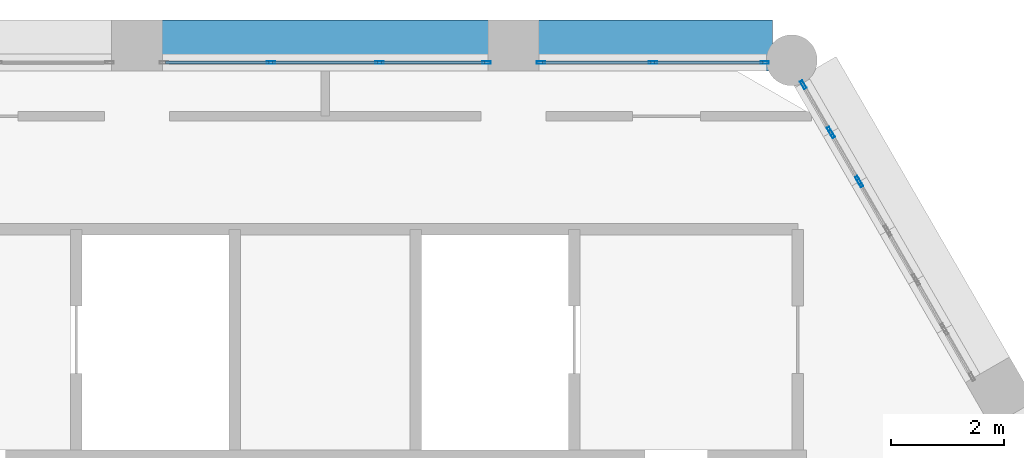
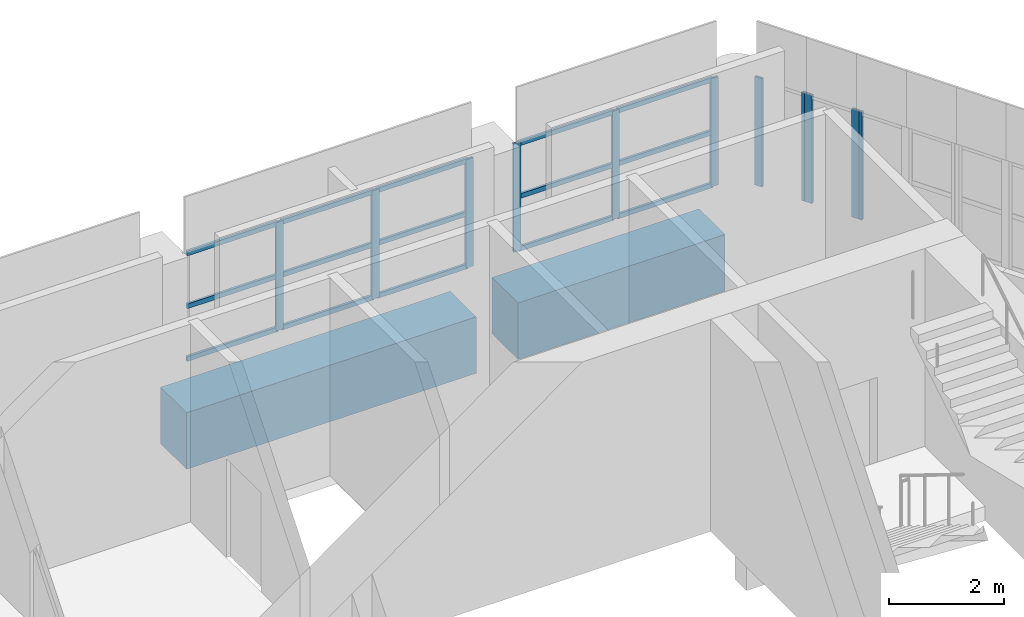
# One storey, part 9 of 23: 26 members, 2 beams, 5 elements without a shape of their own.
"""IFC4 building model written with IfcOpenShell, lengths in metres."""

from ifc_helpers import new_model, si_unit, direction, frame, origin, origin_2d, place, context, subcontext, project, spatial, rectangle, hollow_rectangle, extrude, material, material_profile, profile_set, type_object, element, aggregate, save


model = new_model("IFC4")

# Units and contexts
model_context = context("Model", 3, precision=1e-05, world=origin(), true_north=direction((0.0, 1.0)))
body_context = subcontext(model_context, "Body", "Model", "MODEL_VIEW")
ifc_project = project(units=[si_unit("LENGTHUNIT", "METRE"), si_unit("AREAUNIT", "SQUARE_METRE"), si_unit("VOLUMEUNIT", "CUBIC_METRE"), si_unit("PLANEANGLEUNIT", "RADIAN"), si_unit("MASSUNIT", "GRAM", prefix="KILO")], contexts=[model_context])

# Site, building, storey
site_placement = place(None, origin())
site = spatial("IfcSite", under=ifc_project, at=site_placement, CompositionType="ELEMENT")
building_placement = place(site_placement, origin())
building = spatial("IfcBuilding", under=site, at=building_placement, Name="Ostrander Bayou Hotel Tower", CompositionType="ELEMENT")
storey_placement = place(building_placement, frame((0.0, 0.0, 279.5)))
storey = spatial("IfcBuildingStorey", under=building, at=storey_placement, Name="L69", CompositionType="ELEMENT", Elevation=279.5)

# Curtain wall, members
ifc_material_1 = material(Name="Aluminium and clear glass", Category="aluminium")
curtain_wall_type = type_object("IfcCurtainWallType", Name="CW-CROWN glazed wall", PredefinedType="NOTDEFINED", material=ifc_material_1)
curtain_wall_1_placement = place(storey_placement, origin())
curtain_wall_1 = element("IfcCurtainWall", 1, at=curtain_wall_1_placement, inside=storey, type_object=curtain_wall_type, Name="CW-CROWN L69:N-1", PredefinedType="NOTDEFINED")
ifc_material_2 = material(Name="Aluminium", Category="aluminium")
ifc_material_profile_1 = material_profile(ifc_material_2, hollow_rectangle(XDim=0.050048828125, YDim=0.14990234375, WallThickness=0.00390625, at=origin_2d()))
ifc_profile_set_1 = profile_set([ifc_material_profile_1], Name="Aluminium")
member_type_1 = type_object("IfcMemberType", Name="CW-CR mullion 50 x 150 mm", PredefinedType="MULLION", material=ifc_profile_set_1)
member_1_placement = place(storey_placement, frame((7.765869140625, 16.550048828125, 1.0), z_axis=(0.0, 0.0, 1.0), x_axis=(0.0, -1.0, 0.0)))
member_1 = element("IfcMember", 2, at=member_1_placement, type_object=member_type_1, Name="CW-CROWN mullion 1", PredefinedType="MULLION", context=body_context, shape_type="SweptSolid", body=[
    extrude(hollow_rectangle(XDim=0.050048828125, YDim=0.14990234375, WallThickness=0.00390625, at=origin_2d()), origin(), (0.0, 0.0, 1.0), 2.300048828125),
])
member_2_placement = place(storey_placement, frame((5.78759765625, 16.550048828125, 1.0), z_axis=(0.0, 0.0, 1.0), x_axis=(0.0, -1.0, 0.0)))
member_2 = element("IfcMember", 3, at=member_2_placement, type_object=member_type_1, Name="CW-CROWN mullion 2", PredefinedType="MULLION", context=body_context, shape_type="SweptSolid", body=[
    extrude(hollow_rectangle(XDim=0.050048828125, YDim=0.14990234375, WallThickness=0.00390625, at=origin_2d()), origin(), (0.0, 0.0, 1.0), 2.300048828125),
])
member_3_placement = place(storey_placement, frame((3.809326171875, 16.550048828125, 1.0), z_axis=(0.0, 0.0, 1.0), x_axis=(0.0, -1.0, 0.0)))
member_3 = element("IfcMember", 4, at=member_3_placement, type_object=member_type_1, Name="CW-CROWN mullion 3", PredefinedType="MULLION", context=body_context, shape_type="SweptSolid", body=[
    extrude(hollow_rectangle(XDim=0.050048828125, YDim=0.14990234375, WallThickness=0.00390625, at=origin_2d()), origin(), (0.0, 0.0, 1.0), 2.300048828125),
])

curtain_wall_2_placement = place(storey_placement, origin())
curtain_wall_2 = element("IfcCurtainWall", 5, at=curtain_wall_2_placement, inside=storey, type_object=curtain_wall_type, Name="CW-CROWN L69:N-2", PredefinedType="NOTDEFINED")
member_4_placement = place(storey_placement, frame((2.849365234375, 16.550048828125, 1.0), z_axis=(0.0, 0.0, 1.0), x_axis=(0.0, -1.0, 0.0)))
member_4 = element("IfcMember", 6, at=member_4_placement, type_object=member_type_1, Name="CW-CROWN mullion 1", PredefinedType="MULLION", context=body_context, shape_type="SweptSolid", body=[
    extrude(hollow_rectangle(XDim=0.050048828125, YDim=0.14990234375, WallThickness=0.00390625, at=origin_2d()), origin(), (0.0, 0.0, 1.0), 2.300048828125),
])
member_5_placement = place(storey_placement, frame((0.959716796875, 16.550048828125, 1.0), z_axis=(0.0, 0.0, 1.0), x_axis=(0.0, -1.0, 0.0)))
member_5 = element("IfcMember", 7, at=member_5_placement, type_object=member_type_1, Name="CW-CROWN mullion 2", PredefinedType="MULLION", context=body_context, shape_type="SweptSolid", body=[
    extrude(hollow_rectangle(XDim=0.050048828125, YDim=0.14990234375, WallThickness=0.00390625, at=origin_2d()), origin(), (0.0, 0.0, 1.0), 2.300048828125),
])
member_6_placement = place(storey_placement, frame((-0.959716796875, 16.550048828125, 1.0), z_axis=(0.0, 0.0, 1.0), x_axis=(0.0, -1.0, 0.0)))
member_6 = element("IfcMember", 8, at=member_6_placement, type_object=member_type_1, Name="CW-CROWN mullion 3", PredefinedType="MULLION", context=body_context, shape_type="SweptSolid", body=[
    extrude(hollow_rectangle(XDim=0.050048828125, YDim=0.14990234375, WallThickness=0.00390625, at=origin_2d()), origin(), (0.0, 0.0, 1.0), 2.300048828125),
])

# Curtain wall, member
curtain_wall_3_placement = place(storey_placement, origin())
curtain_wall_3 = element("IfcCurtainWall", 9, at=curtain_wall_3_placement, inside=storey, type_object=curtain_wall_type, Name="CW-CROWN L69:NE-3-4", PredefinedType="NOTDEFINED")
member_7_placement = place(storey_placement, frame((9.4501953125, 14.4189453125, 1.0), z_axis=(0.0, 0.0, 1.0), x_axis=(-0.866026229865, -0.499998569184, 0.0)))
member_7 = element("IfcMember", 10, at=member_7_placement, type_object=member_type_1, Name="CW-CROWN mullion 2", PredefinedType="MULLION", context=body_context, shape_type="SweptSolid", body=[
    extrude(hollow_rectangle(XDim=0.050048828125, YDim=0.14990234375, WallThickness=0.00390625, at=origin_2d()), origin(), (0.0, 0.0, 1.0), 2.300048828125),
])
aggregate(curtain_wall_3, [member_7])

# Curtain wall, members
curtain_wall_4_placement = place(storey_placement, origin())
curtain_wall_4 = element("IfcCurtainWall", 11, at=curtain_wall_4_placement, inside=storey, type_object=curtain_wall_type, Name="CW-CROWN L69:NE-3-5", PredefinedType="NOTDEFINED")
member_8_placement = place(storey_placement, frame((9.420166015625, 14.470947265625, 1.0), z_axis=(0.0, 0.0, 1.0), x_axis=(-0.866001306597, -0.50004173523, 0.0)))
member_8 = element("IfcMember", 12, at=member_8_placement, type_object=member_type_1, Name="CW-CROWN mullion 1", PredefinedType="MULLION", context=body_context, shape_type="SweptSolid", body=[
    extrude(hollow_rectangle(XDim=0.050048828125, YDim=0.14990234375, WallThickness=0.00390625, at=origin_2d()), origin(), (0.0, 0.0, 1.0), 2.300048828125),
])
member_9_placement = place(storey_placement, frame((8.948486328125, 15.28759765625, 1.0), z_axis=(0.0, 0.0, 1.0), x_axis=(-0.866001306597, -0.50004173523, 0.0)))
member_9 = element("IfcMember", 13, at=member_9_placement, type_object=member_type_1, Name="CW-CROWN mullion 2", PredefinedType="MULLION", context=body_context, shape_type="SweptSolid", body=[
    extrude(hollow_rectangle(XDim=0.050048828125, YDim=0.14990234375, WallThickness=0.00390625, at=origin_2d()), origin(), (0.0, 0.0, 1.0), 2.300048828125),
])
aggregate(curtain_wall_4, [member_8, member_9])

curtain_wall_5_placement = place(storey_placement, origin())
curtain_wall_5 = element("IfcCurtainWall", 14, at=curtain_wall_5_placement, inside=storey, type_object=curtain_wall_type, Name="CW-CROWN L69:NE-3-6", PredefinedType="NOTDEFINED")
member_10_placement = place(storey_placement, frame((8.918701171875, 15.339599609375, 1.0), z_axis=(0.0, 0.0, 1.0), x_axis=(-0.866026229865, -0.499998569184, 0.0)))
member_10 = element("IfcMember", 15, at=member_10_placement, type_object=member_type_1, Name="CW-CROWN mullion 1", PredefinedType="MULLION", context=body_context, shape_type="SweptSolid", body=[
    extrude(hollow_rectangle(XDim=0.050048828125, YDim=0.14990234375, WallThickness=0.00390625, at=origin_2d()), origin(), (0.0, 0.0, 1.0), 2.300048828125),
])
member_11_placement = place(storey_placement, frame((8.447021484375, 16.156494140625, 1.0), z_axis=(0.0, 0.0, 1.0), x_axis=(-0.866026229865, -0.499998569184, 0.0)))
member_11 = element("IfcMember", 16, at=member_11_placement, type_object=member_type_1, Name="CW-CROWN mullion 2", PredefinedType="MULLION", context=body_context, shape_type="SweptSolid", body=[
    extrude(hollow_rectangle(XDim=0.050048828125, YDim=0.14990234375, WallThickness=0.00390625, at=origin_2d()), origin(), (0.0, 0.0, 1.0), 2.300048828125),
])
aggregate(curtain_wall_5, [member_10, member_11])

# Member
ifc_material_3 = material(Name="Aluminium", Category="aluminium")
ifc_material_profile_2 = material_profile(ifc_material_3, hollow_rectangle(XDim=0.050048828125, YDim=0.10009765625, WallThickness=0.00390625, at=origin_2d()))
ifc_profile_set_2 = profile_set([ifc_material_profile_2], Name="Aluminium")
member_type_2 = type_object("IfcMemberType", Name="CW-CR transom 50 x 100 mm", PredefinedType="USERDEFINED", material=ifc_profile_set_2)
member_12_placement = place(storey_placement, frame((7.73583984375, 16.550048828125, 1.030029296875), z_axis=(-1.0, 0.0, 0.0), x_axis=(0.0, -1.0, 0.0)))
member_12 = element("IfcMember", 17, at=member_12_placement, type_object=member_type_2, Name="CW-CROWN transom 1.1", ObjectType="TRANSOM", PredefinedType="USERDEFINED", context=body_context, shape_type="SweptSolid", body=[
    extrude(hollow_rectangle(XDim=0.050048828125, YDim=0.10009765625, WallThickness=0.00390625, at=origin_2d()), origin(), (0.0, 0.0, 1.0), 1.918212890625),
])

member_13_placement = place(storey_placement, frame((7.73583984375, 16.550048828125, 2.14990234375), z_axis=(-1.0, 0.0, 0.0), x_axis=(0.0, -1.0, 0.0)))
member_13 = element("IfcMember", 18, at=member_13_placement, type_object=member_type_2, Name="CW-CROWN transom 1.2", ObjectType="TRANSOM", PredefinedType="USERDEFINED", context=body_context, shape_type="SweptSolid", body=[
    extrude(hollow_rectangle(XDim=0.050048828125, YDim=0.10009765625, WallThickness=0.00390625, at=origin_2d()), origin(), (0.0, 0.0, 1.0), 1.918212890625),
])

member_14_placement = place(storey_placement, frame((7.73583984375, 16.550048828125, 3.27001953125), z_axis=(-1.0, 0.0, 0.0), x_axis=(0.0, -1.0, 0.0)))
member_14 = element("IfcMember", 19, at=member_14_placement, type_object=member_type_2, Name="CW-CROWN transom 1.3", ObjectType="TRANSOM", PredefinedType="USERDEFINED", context=body_context, shape_type="SweptSolid", body=[
    extrude(hollow_rectangle(XDim=0.050048828125, YDim=0.10009765625, WallThickness=0.00390625, at=origin_2d()), origin(), (0.0, 0.0, 1.0), 1.918212890625),
])

member_15_placement = place(storey_placement, frame((5.757568359375, 16.550048828125, 1.030029296875), z_axis=(-1.0, 0.0, 0.0), x_axis=(0.0, -1.0, 0.0)))
member_15 = element("IfcMember", 20, at=member_15_placement, type_object=member_type_2, Name="CW-CROWN transom 2.1", ObjectType="TRANSOM", PredefinedType="USERDEFINED", context=body_context, shape_type="SweptSolid", body=[
    extrude(hollow_rectangle(XDim=0.050048828125, YDim=0.10009765625, WallThickness=0.00390625, at=origin_2d()), origin(), (0.0, 0.0, 1.0), 1.918212890625),
])

member_16_placement = place(storey_placement, frame((5.757568359375, 16.550048828125, 2.14990234375), z_axis=(-1.0, 0.0, 0.0), x_axis=(0.0, -1.0, 0.0)))
member_16 = element("IfcMember", 21, at=member_16_placement, type_object=member_type_2, Name="CW-CROWN transom 2.2", ObjectType="TRANSOM", PredefinedType="USERDEFINED", context=body_context, shape_type="SweptSolid", body=[
    extrude(hollow_rectangle(XDim=0.050048828125, YDim=0.10009765625, WallThickness=0.00390625, at=origin_2d()), origin(), (0.0, 0.0, 1.0), 1.918212890625),
])

member_17_placement = place(storey_placement, frame((5.757568359375, 16.550048828125, 3.27001953125), z_axis=(-1.0, 0.0, 0.0), x_axis=(0.0, -1.0, 0.0)))
member_17 = element("IfcMember", 22, at=member_17_placement, type_object=member_type_2, Name="CW-CROWN transom 2.3", ObjectType="TRANSOM", PredefinedType="USERDEFINED", context=body_context, shape_type="SweptSolid", body=[
    extrude(hollow_rectangle(XDim=0.050048828125, YDim=0.10009765625, WallThickness=0.00390625, at=origin_2d()), origin(), (0.0, 0.0, 1.0), 1.918212890625),
])

aggregate(curtain_wall_1, [member_1, member_2, member_3, member_12, member_13, member_14, member_15, member_16, member_17])

member_18_placement = place(storey_placement, frame((2.8193359375, 16.550048828125, 1.030029296875), z_axis=(-1.0, 0.0, 0.0), x_axis=(0.0, -1.0, 0.0)))
member_18 = element("IfcMember", 23, at=member_18_placement, type_object=member_type_2, Name="CW-CROWN transom 1.1", ObjectType="TRANSOM", PredefinedType="USERDEFINED", context=body_context, shape_type="SweptSolid", body=[
    extrude(hollow_rectangle(XDim=0.050048828125, YDim=0.10009765625, WallThickness=0.00390625, at=origin_2d()), origin(), (0.0, 0.0, 1.0), 1.82958984375),
])

member_19_placement = place(storey_placement, frame((2.8193359375, 16.550048828125, 2.14990234375), z_axis=(-1.0, 0.0, 0.0), x_axis=(0.0, -1.0, 0.0)))
member_19 = element("IfcMember", 24, at=member_19_placement, type_object=member_type_2, Name="CW-CROWN transom 1.2", ObjectType="TRANSOM", PredefinedType="USERDEFINED", context=body_context, shape_type="SweptSolid", body=[
    extrude(hollow_rectangle(XDim=0.050048828125, YDim=0.10009765625, WallThickness=0.00390625, at=origin_2d()), origin(), (0.0, 0.0, 1.0), 1.82958984375),
])

member_20_placement = place(storey_placement, frame((2.8193359375, 16.550048828125, 3.27001953125), z_axis=(-1.0, 0.0, 0.0), x_axis=(0.0, -1.0, 0.0)))
member_20 = element("IfcMember", 25, at=member_20_placement, type_object=member_type_2, Name="CW-CROWN transom 1.3", ObjectType="TRANSOM", PredefinedType="USERDEFINED", context=body_context, shape_type="SweptSolid", body=[
    extrude(hollow_rectangle(XDim=0.050048828125, YDim=0.10009765625, WallThickness=0.00390625, at=origin_2d()), origin(), (0.0, 0.0, 1.0), 1.82958984375),
])

member_21_placement = place(storey_placement, frame((0.9296875, 16.550048828125, 1.030029296875), z_axis=(-1.0, 0.0, 0.0), x_axis=(0.0, -1.0, 0.0)))
member_21 = element("IfcMember", 26, at=member_21_placement, type_object=member_type_2, Name="CW-CROWN transom 2.1", ObjectType="TRANSOM", PredefinedType="USERDEFINED", context=body_context, shape_type="SweptSolid", body=[
    extrude(hollow_rectangle(XDim=0.050048828125, YDim=0.10009765625, WallThickness=0.00390625, at=origin_2d()), origin(), (0.0, 0.0, 1.0), 1.859375),
])

member_22_placement = place(storey_placement, frame((0.9296875, 16.550048828125, 2.14990234375), z_axis=(-1.0, 0.0, 0.0), x_axis=(0.0, -1.0, 0.0)))
member_22 = element("IfcMember", 27, at=member_22_placement, type_object=member_type_2, Name="CW-CROWN transom 2.2", ObjectType="TRANSOM", PredefinedType="USERDEFINED", context=body_context, shape_type="SweptSolid", body=[
    extrude(hollow_rectangle(XDim=0.050048828125, YDim=0.10009765625, WallThickness=0.00390625, at=origin_2d()), origin(), (0.0, 0.0, 1.0), 1.859375),
])

member_23_placement = place(storey_placement, frame((0.9296875, 16.550048828125, 3.27001953125), z_axis=(-1.0, 0.0, 0.0), x_axis=(0.0, -1.0, 0.0)))
member_23 = element("IfcMember", 28, at=member_23_placement, type_object=member_type_2, Name="CW-CROWN transom 2.3", ObjectType="TRANSOM", PredefinedType="USERDEFINED", context=body_context, shape_type="SweptSolid", body=[
    extrude(hollow_rectangle(XDim=0.050048828125, YDim=0.10009765625, WallThickness=0.00390625, at=origin_2d()), origin(), (0.0, 0.0, 1.0), 1.859375),
])

member_24_placement = place(storey_placement, frame((-0.98974609375, 16.550048828125, 1.030029296875), z_axis=(-1.0, 0.0, 0.0), x_axis=(0.0, -1.0, 0.0)))
member_24 = element("IfcMember", 29, at=member_24_placement, type_object=member_type_2, Name="CW-CROWN transom 3.1", ObjectType="TRANSOM", PredefinedType="USERDEFINED", context=body_context, shape_type="SweptSolid", body=[
    extrude(hollow_rectangle(XDim=0.050048828125, YDim=0.10009765625, WallThickness=0.00390625, at=origin_2d()), origin(), (0.0, 0.0, 1.0), 1.82958984375),
])

member_25_placement = place(storey_placement, frame((-0.98974609375, 16.550048828125, 2.14990234375), z_axis=(-1.0, 0.0, 0.0), x_axis=(0.0, -1.0, 0.0)))
member_25 = element("IfcMember", 30, at=member_25_placement, type_object=member_type_2, Name="CW-CROWN transom 3.2", ObjectType="TRANSOM", PredefinedType="USERDEFINED", context=body_context, shape_type="SweptSolid", body=[
    extrude(hollow_rectangle(XDim=0.050048828125, YDim=0.10009765625, WallThickness=0.00390625, at=origin_2d()), origin(), (0.0, 0.0, 1.0), 1.82958984375),
])

member_26_placement = place(storey_placement, frame((-0.98974609375, 16.550048828125, 3.27001953125), z_axis=(-1.0, 0.0, 0.0), x_axis=(0.0, -1.0, 0.0)))
member_26 = element("IfcMember", 31, at=member_26_placement, type_object=member_type_2, Name="CW-CROWN transom 3.3", ObjectType="TRANSOM", PredefinedType="USERDEFINED", context=body_context, shape_type="SweptSolid", body=[
    extrude(hollow_rectangle(XDim=0.050048828125, YDim=0.10009765625, WallThickness=0.00390625, at=origin_2d()), origin(), (0.0, 0.0, 1.0), 1.82958984375),
])

aggregate(curtain_wall_2, [member_4, member_5, member_6, member_18, member_19, member_20, member_21, member_22, member_23, member_24, member_25, member_26])

# Beams
ifc_material_4 = material(Name="Concrete f'c 60 MPa", Category="concrete")
ifc_material_profile_3 = material_profile(ifc_material_4, rectangle(XDim=0.89990234375, YDim=1.199951171875, at=origin_2d()))
ifc_profile_set_3 = profile_set([ifc_material_profile_3], Name="Concrete f'c 60 MPa")
beam_type = type_object("IfcBeamType", Name="SP4 spandrel beam 900 x 1200 mm f'c 60 MPa", PredefinedType="SPANDREL", material=ifc_profile_set_3)
beam_1_placement = place(storey_placement, frame((7.90576171875, 16.85009765625, -0.60009765625), z_axis=(-1.0, 0.0, 0.0), x_axis=(0.0, -1.0, 0.0)))
element("IfcBeam", 32, at=beam_1_placement, inside=storey, type_object=beam_type, Name="SP4 L69 N-1", PredefinedType="SPANDREL", context=body_context, shape_type="SweptSolid", body=[
    extrude(rectangle(XDim=0.89990234375, YDim=1.199951171875, at=origin_2d()), origin(), (0.0, 0.0, 1.0), 4.15625),
])
beam_2_placement = place(storey_placement, frame((2.909423828125, 16.85009765625, -0.60009765625), z_axis=(-1.0, 0.0, 0.0), x_axis=(0.0, -1.0, 0.0)))
element("IfcBeam", 33, at=beam_2_placement, inside=storey, type_object=beam_type, Name="SP4 L69 N-2", PredefinedType="SPANDREL", context=body_context, shape_type="SweptSolid", body=[
    extrude(rectangle(XDim=0.89990234375, YDim=1.199951171875, at=origin_2d()), origin(), (0.0, 0.0, 1.0), 5.81884765625),
])

save(model, "model.ifc")
